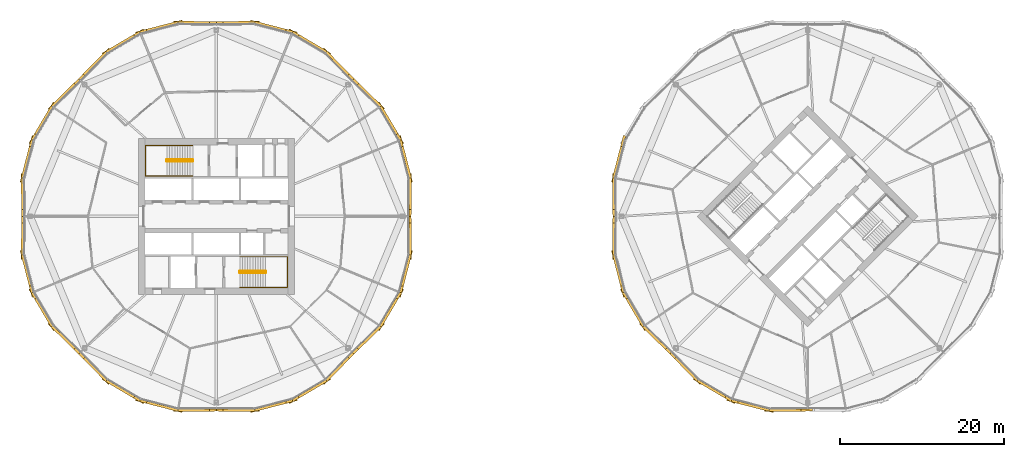
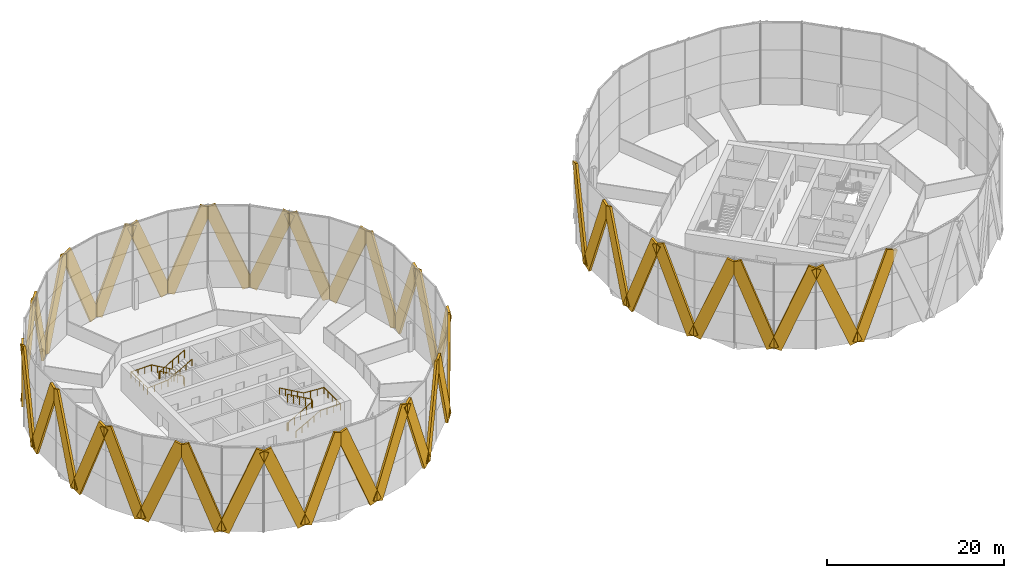
# One storey, part 25 of 26: 42 coverings, 4 railings.
"""IFC4 building model written with IfcOpenShell, lengths in metres."""

from ifc_helpers import new_model, si_unit, direction, frame, origin, origin_2d, place, context, subcontext, project, spatial, rectangle, circle, extrude, material, material_profile, profile_set, type_object, element, save


model = new_model("IFC4")

# Units and contexts
model_context = context("Model", 3, precision=1e-05, world=origin(), true_north=direction((0.0, 1.0)))
body_context = subcontext(model_context, "Body", "Model", "MODEL_VIEW")
ifc_project = project(units=[si_unit("LENGTHUNIT", "METRE"), si_unit("AREAUNIT", "SQUARE_METRE"), si_unit("VOLUMEUNIT", "CUBIC_METRE"), si_unit("PLANEANGLEUNIT", "RADIAN"), si_unit("MASSUNIT", "GRAM", prefix="KILO")], contexts=[model_context])

# Site, building, storey
site_placement = place(None, origin())
site = spatial("IfcSite", under=ifc_project, at=site_placement, CompositionType="ELEMENT")
building_placement = place(site_placement, origin())
building = spatial("IfcBuilding", under=site, at=building_placement, Name="Ogive Gate Towers", CompositionType="ELEMENT")
storey_placement = place(building_placement, frame((0.0, 0.0, 87.89990234375)))
storey = spatial("IfcBuildingStorey", under=building, at=storey_placement, Name="L20", CompositionType="ELEMENT", Elevation=87.89990234375)

# Coverings
ifc_material_1 = material(Name="Pale metal aluminium", Category="aluminium")
ifc_material_profile = material_profile(ifc_material_1, rectangle(XDim=0.300048828125, YDim=1.5, at=origin_2d()), Name="1500 x 300 pale metal aluminium")
ifc_profile_set = profile_set([ifc_material_profile], Name="Pale metal aluminium")
covering_type = type_object("IfcCoveringType", Name="Facade fin 1500 x 300", PredefinedType="CLADDING", material=ifc_profile_set)
covering_1_placement = place(storey_placement, frame((-12.377685546875, 4.53759765625, -0.072998046875), z_axis=(-0.003440047404, -0.369306390886, 0.929301326656), x_axis=(0.99995661926, -0.009314483198, 0.0)))
element("IfcCovering", 1, at=covering_1_placement, inside=storey, type_object=covering_type, Name="Facade fin", PredefinedType="CLADDING", context=body_context, shape_type="SweptSolid", body=[
    extrude(rectangle(XDim=0.300048828125, YDim=1.5, at=origin_2d()), origin(), (0.0, 0.0, 1.0), 11.993896484375),
])
for number, where, z_axis, x_axis, name in (
    (2, (-12.411376953125, 4.81103515625, -0.06982421875), (-0.093130794582, 0.36170772696, 0.927628252781), (-0.968415241774, -0.249342975639, 0.0), "Facade fin"),
    (3, (-15.918212890625, 13.27783203125, -0.06982421875), (0.189901177669, -0.321618309681, 0.927630964122), (0.861097691065, 0.508439540597, 0.0), "Facade fin"),
):
    element("IfcCovering", number, at=place(storey_placement, frame(where, z_axis=z_axis, x_axis=x_axis)), inside=storey, type_object=covering_type, Name=name, PredefinedType="CLADDING", context=body_context, shape_type="SweptSolid", body=[
        extrude(rectangle(XDim=0.300048828125, YDim=1.5, at=origin_2d()), origin(), (0.0, 0.0, 1.0), 12.009033203125),
    ])
for number, where, z_axis, x_axis, name in (
    (4, (-16.087890625, 13.4951171875, -0.072998046875), (-0.26358100466, 0.25869572849, 0.929301659335), (-0.700461997933, -0.713689701097, 0.0), "Facade fin"),
    (5, (-22.5048828125, 19.912109375, -0.072998046875), (0.25869572849, -0.26358100466, 0.929301659335), (0.713689701097, 0.700461997933, 0.0), "Facade fin"),
):
    element("IfcCovering", number, at=place(storey_placement, frame(where, z_axis=z_axis, x_axis=x_axis)), inside=storey, type_object=covering_type, Name=name, PredefinedType="CLADDING", context=body_context, shape_type="SweptSolid", body=[
        extrude(rectangle(XDim=0.300048828125, YDim=1.5, at=origin_2d()), origin(), (0.0, 0.0, 1.0), 11.993896484375),
    ])
for number, where, z_axis, x_axis, name in (
    (6, (-22.72216796875, 20.081787109375, -0.06982421875), (-0.321618309681, 0.189901177669, 0.927630964122), (-0.508439540597, -0.861097691065, 0.0), "Facade fin"),
    (7, (-31.18896484375, 23.588623046875, -0.06982421875), (0.36170772696, -0.093130794582, 0.927628252781), (0.249342975639, 0.968415241774, 0.0), "Facade fin"),
):
    element("IfcCovering", number, at=place(storey_placement, frame(where, z_axis=z_axis, x_axis=x_axis)), inside=storey, type_object=covering_type, Name=name, PredefinedType="CLADDING", context=body_context, shape_type="SweptSolid", body=[
        extrude(rectangle(XDim=0.300048828125, YDim=1.5, at=origin_2d()), origin(), (0.0, 0.0, 1.0), 12.009033203125),
    ])
for number, where, z_axis, x_axis, name in (
    (8, (-31.46240234375, 23.622314453125, -0.072998046875), (-0.369306390886, -0.003440047404, 0.929301326656), (0.009314483198, -0.99995661926, 0.0), "Facade fin"),
    (9, (-40.53759765625, 23.622314453125, -0.072998046875), (0.369306390886, -0.003440047404, 0.929301326656), (0.009314483198, 0.99995661926, 0.0), "Facade fin"),
):
    element("IfcCovering", number, at=place(storey_placement, frame(where, z_axis=z_axis, x_axis=x_axis)), inside=storey, type_object=covering_type, Name=name, PredefinedType="CLADDING", context=body_context, shape_type="SweptSolid", body=[
        extrude(rectangle(XDim=0.300048828125, YDim=1.5, at=origin_2d()), origin(), (0.0, 0.0, 1.0), 11.993896484375),
    ])
for number, where, z_axis, x_axis, name in (
    (10, (-40.81103515625, 23.588623046875, -0.06982421875), (-0.36170772696, -0.093130794582, 0.927628252781), (0.249342975639, -0.968415241774, 0.0), "Facade fin"),
    (11, (-49.27783203125, 20.081787109375, -0.06982421875), (0.321618309681, 0.189901177669, 0.927630964122), (-0.508439540597, 0.861097691065, 0.0), "Facade fin"),
):
    element("IfcCovering", number, at=place(storey_placement, frame(where, z_axis=z_axis, x_axis=x_axis)), inside=storey, type_object=covering_type, Name=name, PredefinedType="CLADDING", context=body_context, shape_type="SweptSolid", body=[
        extrude(rectangle(XDim=0.300048828125, YDim=1.5, at=origin_2d()), origin(), (0.0, 0.0, 1.0), 12.009033203125),
    ])
for number, where, z_axis, x_axis, name in (
    (12, (-49.4951171875, 19.912109375, -0.072998046875), (-0.25869572849, -0.26358100466, 0.929301659335), (0.713689701097, -0.700461997933, 0.0), "Facade fin"),
    (13, (-55.912109375, 13.4951171875, -0.072998046875), (0.26358100466, 0.25869572849, 0.929301659335), (-0.700461997933, 0.713689701097, 0.0), "Facade fin"),
):
    element("IfcCovering", number, at=place(storey_placement, frame(where, z_axis=z_axis, x_axis=x_axis)), inside=storey, type_object=covering_type, Name=name, PredefinedType="CLADDING", context=body_context, shape_type="SweptSolid", body=[
        extrude(rectangle(XDim=0.300048828125, YDim=1.5, at=origin_2d()), origin(), (0.0, 0.0, 1.0), 11.993896484375),
    ])
for number, where, z_axis, x_axis, name in (
    (14, (-56.081787109375, 13.27783203125, -0.06982421875), (-0.189901177669, -0.321618309681, 0.927630964122), (0.861097691065, -0.508439540597, 0.0), "Facade fin"),
    (15, (-59.588623046875, 4.81103515625, -0.06982421875), (0.093130794582, 0.36170772696, 0.927628252781), (-0.968415241774, 0.249342975639, 0.0), "Facade fin"),
):
    element("IfcCovering", number, at=place(storey_placement, frame(where, z_axis=z_axis, x_axis=x_axis)), inside=storey, type_object=covering_type, Name=name, PredefinedType="CLADDING", context=body_context, shape_type="SweptSolid", body=[
        extrude(rectangle(XDim=0.300048828125, YDim=1.5, at=origin_2d()), origin(), (0.0, 0.0, 1.0), 12.009033203125),
    ])
for number, where, z_axis, x_axis, name in (
    (16, (-59.622314453125, 4.53759765625, -0.072998046875), (0.003440047404, -0.369306390886, 0.929301326656), (0.99995661926, 0.009314483198, 0.0), "Facade fin"),
    (17, (-59.622314453125, -4.53759765625, -0.072998046875), (0.003440047404, 0.369306390886, 0.929301326656), (-0.99995661926, 0.009314483198, 0.0), "Facade fin"),
):
    element("IfcCovering", number, at=place(storey_placement, frame(where, z_axis=z_axis, x_axis=x_axis)), inside=storey, type_object=covering_type, Name=name, PredefinedType="CLADDING", context=body_context, shape_type="SweptSolid", body=[
        extrude(rectangle(XDim=0.300048828125, YDim=1.5, at=origin_2d()), origin(), (0.0, 0.0, 1.0), 11.993896484375),
    ])
for number, where, z_axis, x_axis, name in (
    (18, (-59.588623046875, -4.81103515625, -0.06982421875), (0.093130794582, -0.36170772696, 0.927628252781), (0.968415241774, 0.249342975639, 0.0), "Facade fin"),
    (19, (-56.081787109375, -13.27783203125, -0.06982421875), (-0.189901177669, 0.321618309681, 0.927630964122), (-0.861097691065, -0.508439540597, 0.0), "Facade fin"),
):
    element("IfcCovering", number, at=place(storey_placement, frame(where, z_axis=z_axis, x_axis=x_axis)), inside=storey, type_object=covering_type, Name=name, PredefinedType="CLADDING", context=body_context, shape_type="SweptSolid", body=[
        extrude(rectangle(XDim=0.300048828125, YDim=1.5, at=origin_2d()), origin(), (0.0, 0.0, 1.0), 12.009033203125),
    ])
for number, where, z_axis, x_axis, name in (
    (20, (-55.912109375, -13.4951171875, -0.072998046875), (0.26358100466, -0.25869572849, 0.929301659335), (0.700461997933, 0.713689701097, 0.0), "Facade fin"),
    (21, (-49.4951171875, -19.912109375, -0.072998046875), (-0.25869572849, 0.26358100466, 0.929301659335), (-0.713689701097, -0.700461997933, 0.0), "Facade fin"),
):
    element("IfcCovering", number, at=place(storey_placement, frame(where, z_axis=z_axis, x_axis=x_axis)), inside=storey, type_object=covering_type, Name=name, PredefinedType="CLADDING", context=body_context, shape_type="SweptSolid", body=[
        extrude(rectangle(XDim=0.300048828125, YDim=1.5, at=origin_2d()), origin(), (0.0, 0.0, 1.0), 11.993896484375),
    ])
for number, where, z_axis, x_axis, name in (
    (22, (-49.27783203125, -20.081787109375, -0.06982421875), (0.321618309681, -0.189901177669, 0.927630964122), (0.508439540597, 0.861097691065, 0.0), "Facade fin"),
    (23, (-40.81103515625, -23.588623046875, -0.06982421875), (-0.36170772696, 0.093130794582, 0.927628252781), (-0.249342975639, -0.968415241774, 0.0), "Facade fin"),
):
    element("IfcCovering", number, at=place(storey_placement, frame(where, z_axis=z_axis, x_axis=x_axis)), inside=storey, type_object=covering_type, Name=name, PredefinedType="CLADDING", context=body_context, shape_type="SweptSolid", body=[
        extrude(rectangle(XDim=0.300048828125, YDim=1.5, at=origin_2d()), origin(), (0.0, 0.0, 1.0), 12.009033203125),
    ])
for number, where, z_axis, x_axis, name in (
    (24, (-40.53759765625, -23.622314453125, -0.072998046875), (0.369306390886, 0.003440047404, 0.929301326656), (-0.009314483198, 0.99995661926, 0.0), "Facade fin"),
    (25, (-31.46240234375, -23.622314453125, -0.072998046875), (-0.369306390886, 0.003440047404, 0.929301326656), (-0.009314483198, -0.99995661926, 0.0), "Facade fin"),
):
    element("IfcCovering", number, at=place(storey_placement, frame(where, z_axis=z_axis, x_axis=x_axis)), inside=storey, type_object=covering_type, Name=name, PredefinedType="CLADDING", context=body_context, shape_type="SweptSolid", body=[
        extrude(rectangle(XDim=0.300048828125, YDim=1.5, at=origin_2d()), origin(), (0.0, 0.0, 1.0), 11.993896484375),
    ])
for number, where, z_axis, x_axis, name in (
    (26, (-31.18896484375, -23.588623046875, -0.06982421875), (0.36170772696, 0.093130794582, 0.927628252781), (-0.249342975639, 0.968415241774, 0.0), "Facade fin"),
    (27, (-22.72216796875, -20.081787109375, -0.06982421875), (-0.321618309681, -0.189901177669, 0.927630964122), (0.508439540597, -0.861097691065, 0.0), "Facade fin"),
):
    element("IfcCovering", number, at=place(storey_placement, frame(where, z_axis=z_axis, x_axis=x_axis)), inside=storey, type_object=covering_type, Name=name, PredefinedType="CLADDING", context=body_context, shape_type="SweptSolid", body=[
        extrude(rectangle(XDim=0.300048828125, YDim=1.5, at=origin_2d()), origin(), (0.0, 0.0, 1.0), 12.009033203125),
    ])
for number, where, z_axis, x_axis, name in (
    (28, (-22.5048828125, -19.912109375, -0.072998046875), (0.25869572849, 0.26358100466, 0.929301659335), (-0.713689701097, 0.700461997933, 0.0), "Facade fin"),
    (29, (-16.087890625, -13.4951171875, -0.072998046875), (-0.26358100466, -0.25869572849, 0.929301659335), (0.700461997933, -0.713689701097, 0.0), "Facade fin"),
):
    element("IfcCovering", number, at=place(storey_placement, frame(where, z_axis=z_axis, x_axis=x_axis)), inside=storey, type_object=covering_type, Name=name, PredefinedType="CLADDING", context=body_context, shape_type="SweptSolid", body=[
        extrude(rectangle(XDim=0.300048828125, YDim=1.5, at=origin_2d()), origin(), (0.0, 0.0, 1.0), 11.993896484375),
    ])
for number, where, z_axis, x_axis, name in (
    (30, (-15.918212890625, -13.27783203125, -0.06982421875), (0.189901177669, 0.321618309681, 0.927630964122), (-0.861097691065, 0.508439540597, 0.0), "Facade fin"),
    (31, (-12.411376953125, -4.81103515625, -0.06982421875), (-0.093130794582, -0.36170772696, 0.927628252781), (0.968415241774, -0.249342975639, 0.0), "Facade fin"),
):
    element("IfcCovering", number, at=place(storey_placement, frame(where, z_axis=z_axis, x_axis=x_axis)), inside=storey, type_object=covering_type, Name=name, PredefinedType="CLADDING", context=body_context, shape_type="SweptSolid", body=[
        extrude(rectangle(XDim=0.300048828125, YDim=1.5, at=origin_2d()), origin(), (0.0, 0.0, 1.0), 12.009033203125),
    ])
covering_2_placement = place(storey_placement, frame((-12.377685546875, -4.53759765625, -0.072998046875), z_axis=(-0.003440047404, 0.369306390886, 0.929301326656), x_axis=(-0.99995661926, -0.009314483198, 0.0)))
element("IfcCovering", 32, at=covering_2_placement, inside=storey, type_object=covering_type, Name="Facade fin", PredefinedType="CLADDING", context=body_context, shape_type="SweptSolid", body=[
    extrude(rectangle(XDim=0.300048828125, YDim=1.5, at=origin_2d()), origin(), (0.0, 0.0, 1.0), 11.993896484375),
])
covering_3_placement = place(storey_placement, frame((12.411376953125, 4.81103515625, -0.06982421875), z_axis=(0.093130794582, 0.36170772696, 0.927628252781), x_axis=(-0.968415241774, 0.249342975639, 0.0)))
element("IfcCovering", 33, at=covering_3_placement, inside=storey, type_object=covering_type, Name="Facade fin", PredefinedType="CLADDING", context=body_context, shape_type="SweptSolid", body=[
    extrude(rectangle(XDim=0.300048828125, YDim=1.5, at=origin_2d()), origin(), (0.0, 0.0, 1.0), 12.009033203125),
])
for number, where, z_axis, x_axis, name in (
    (34, (12.377685546875, 4.53759765625, -0.072998046875), (0.003440047404, -0.369306390886, 0.929301326656), (0.99995661926, 0.009314483198, 0.0), "Facade fin"),
    (35, (12.377685546875, -4.53759765625, -0.072998046875), (0.003440047404, 0.369306390886, 0.929301326656), (-0.99995661926, 0.009314483198, 0.0), "Facade fin"),
):
    element("IfcCovering", number, at=place(storey_placement, frame(where, z_axis=z_axis, x_axis=x_axis)), inside=storey, type_object=covering_type, Name=name, PredefinedType="CLADDING", context=body_context, shape_type="SweptSolid", body=[
        extrude(rectangle(XDim=0.300048828125, YDim=1.5, at=origin_2d()), origin(), (0.0, 0.0, 1.0), 11.993896484375),
    ])
for number, where, z_axis, x_axis, name in (
    (36, (12.411376953125, -4.81103515625, -0.06982421875), (0.093130794582, -0.36170772696, 0.927628252781), (0.968415241774, 0.249342975639, 0.0), "Facade fin"),
    (37, (15.918212890625, -13.27783203125, -0.06982421875), (-0.189901177669, 0.321618309681, 0.927630964122), (-0.861097691065, -0.508439540597, 0.0), "Facade fin"),
):
    element("IfcCovering", number, at=place(storey_placement, frame(where, z_axis=z_axis, x_axis=x_axis)), inside=storey, type_object=covering_type, Name=name, PredefinedType="CLADDING", context=body_context, shape_type="SweptSolid", body=[
        extrude(rectangle(XDim=0.300048828125, YDim=1.5, at=origin_2d()), origin(), (0.0, 0.0, 1.0), 12.009033203125),
    ])
for number, where, z_axis, x_axis, name in (
    (38, (16.087890625, -13.4951171875, -0.072998046875), (0.26358100466, -0.25869572849, 0.929301659335), (0.700461997933, 0.713689701097, 0.0), "Facade fin"),
    (39, (22.5048828125, -19.912109375, -0.072998046875), (-0.25869572849, 0.26358100466, 0.929301659335), (-0.713689701097, -0.700461997933, 0.0), "Facade fin"),
):
    element("IfcCovering", number, at=place(storey_placement, frame(where, z_axis=z_axis, x_axis=x_axis)), inside=storey, type_object=covering_type, Name=name, PredefinedType="CLADDING", context=body_context, shape_type="SweptSolid", body=[
        extrude(rectangle(XDim=0.300048828125, YDim=1.5, at=origin_2d()), origin(), (0.0, 0.0, 1.0), 11.993896484375),
    ])
for number, where, z_axis, x_axis, name in (
    (40, (22.72216796875, -20.081787109375, -0.06982421875), (0.321618309681, -0.189901177669, 0.927630964122), (0.508439540597, 0.861097691065, 0.0), "Facade fin"),
    (41, (31.18896484375, -23.588623046875, -0.06982421875), (-0.36170772696, 0.093130794582, 0.927628252781), (-0.249342975639, -0.968415241774, 0.0), "Facade fin"),
):
    element("IfcCovering", number, at=place(storey_placement, frame(where, z_axis=z_axis, x_axis=x_axis)), inside=storey, type_object=covering_type, Name=name, PredefinedType="CLADDING", context=body_context, shape_type="SweptSolid", body=[
        extrude(rectangle(XDim=0.300048828125, YDim=1.5, at=origin_2d()), origin(), (0.0, 0.0, 1.0), 12.009033203125),
    ])
covering_4_placement = place(storey_placement, frame((31.46240234375, -23.622314453125, -0.072998046875), z_axis=(0.369306390886, 0.003440047404, 0.929301326656), x_axis=(-0.009314483198, 0.99995661926, 0.0)))
element("IfcCovering", 42, at=covering_4_placement, inside=storey, type_object=covering_type, Name="Facade fin", PredefinedType="CLADDING", context=body_context, shape_type="SweptSolid", body=[
    extrude(rectangle(XDim=0.300048828125, YDim=1.5, at=origin_2d()), origin(), (0.0, 0.0, 1.0), 11.993896484375),
])

# Railings
ifc_material_2 = material(Name="Stainless steel", Category="steel")
railing_type_1 = type_object("IfcRailingType", Name="Stair guard 1100", PredefinedType="GUARDRAIL", material=ifc_material_2)
railing_1_placement = place(storey_placement, frame((-38.81494140625, 6.860107421875, 0.0)))
element("IfcRailing", 43, at=railing_1_placement, inside=storey, type_object=railing_type_1, Name="L20 ST1 stair guard 1", PredefinedType="GUARDRAIL", context=body_context, shape_type="SweptSolid", body=[
    extrude(circle(Radius=0.02392578125, at=origin_2d()), frame((0.0, 0.0, 1.076171875), z_axis=(0.0, -1.0, 0.0), x_axis=(1.0, 0.0, 0.0)), (0.0, 0.0, 1.0), 0.14501953125),
    extrude(circle(Radius=0.02392578125, at=origin_2d()), frame((0.0, -0.14501953125, 1.076171875), z_axis=(-0.186567429962, 0.726247849316, 0.661631812598), x_axis=(-0.968551454522, -0.24881334358, 0.0)), (0.0, 0.0, 1.0), 0.268310546875),
    extrude(circle(Radius=0.02392578125, at=origin_2d()), frame((-0.050048828125, 0.0498046875, 1.25341796875), z_axis=(-0.870572935281, 0.0, 0.492039393094), x_axis=(0.0, -1.0, 0.0)), (0.0, 0.0, 1.0), 3.602783203125),
    extrude(circle(Radius=0.02392578125, at=origin_2d()), frame((-3.1865234375, 0.0498046875, 3.0263671875), z_axis=(-0.707106781187, -0.707106781187, 0.0), x_axis=(0.707106781187, -0.707106781187, 0.0)), (0.0, 0.0, 1.0), 0.0703125),
    extrude(circle(Radius=0.02392578125, at=origin_2d()), frame((-3.236328125, 0.0, 3.0263671875), z_axis=(0.0, -1.0, 0.0), x_axis=(1.0, 0.0, 0.0)), (0.0, 0.0, 1.0), 0.14501953125),
    extrude(circle(Radius=0.02392578125, at=origin_2d()), frame((-3.236328125, -0.14501953125, 3.0263671875), z_axis=(0.261041864531, -0.262321481514, 0.929001929653), x_axis=(0.708833529934, 0.705375805398, 0.0)), (0.0, 0.0, 1.0), 0.190673828125),
    extrude(circle(Radius=0.02392578125, at=origin_2d()), frame((-3.1865234375, -0.195068359375, 3.20361328125), z_axis=(0.870572935281, 0.0, 0.492039393094), x_axis=(0.0, 1.0, 0.0)), (0.0, 0.0, 1.0), 3.602783203125),
    extrude(circle(Radius=0.02099609375, at=origin_2d()), origin(), (0.0, 0.0, 1.0), 1.052001953125),
    extrude(circle(Radius=0.02099609375, at=origin_2d()), frame((0.0, -0.14501953125, 0.0)), (0.0, 0.0, 1.0), 1.052001953125),
    extrude(circle(Radius=0.02099609375, at=origin_2d()), frame((-0.050048828125, 0.0498046875, 0.177490234375)), (0.0, 0.0, 1.0), 1.052001953125),
    extrude(circle(Radius=0.02099609375, at=origin_2d()), frame((-0.834228515625, 0.0498046875, 0.62060546875)), (0.0, 0.0, 1.0), 1.052001953125),
    extrude(circle(Radius=0.02099609375, at=origin_2d()), frame((-1.6181640625, 0.0498046875, 1.06396484375)), (0.0, 0.0, 1.0), 1.052001953125),
    extrude(circle(Radius=0.02099609375, at=origin_2d()), frame((-2.40234375, 0.0498046875, 1.507080078125)), (0.0, 0.0, 1.0), 1.052001953125),
    extrude(circle(Radius=0.02099609375, at=origin_2d()), frame((-3.1865234375, 0.0498046875, 1.9501953125)), (0.0, 0.0, 1.0), 1.052001953125),
    extrude(circle(Radius=0.02099609375, at=origin_2d()), frame((-3.236328125, 0.0, 1.9501953125)), (0.0, 0.0, 1.0), 1.052001953125),
    extrude(circle(Radius=0.02099609375, at=origin_2d()), frame((-3.236328125, -0.14501953125, 1.9501953125)), (0.0, 0.0, 1.0), 1.052001953125),
    extrude(circle(Radius=0.02099609375, at=origin_2d()), frame((-3.1865234375, -0.195068359375, 2.12744140625)), (0.0, 0.0, 1.0), 1.052001953125),
    extrude(circle(Radius=0.02099609375, at=origin_2d()), frame((-2.40234375, -0.195068359375, 2.570556640625)), (0.0, 0.0, 1.0), 1.052001953125),
    extrude(circle(Radius=0.02099609375, at=origin_2d()), frame((-1.6181640625, -0.195068359375, 3.013671875)), (0.0, 0.0, 1.0), 1.052001953125),
    extrude(circle(Radius=0.02099609375, at=origin_2d()), frame((-0.834228515625, -0.195068359375, 3.45703125)), (0.0, 0.0, 1.0), 1.052001953125),
    extrude(circle(Radius=0.02099609375, at=origin_2d()), frame((-0.050048828125, -0.195068359375, 3.900146484375)), (0.0, 0.0, 1.0), 1.052001953125),
])
railing_2_placement = place(storey_placement, frame((-33.18505859375, -6.860107421875, 0.0)))
element("IfcRailing", 44, at=railing_2_placement, inside=storey, type_object=railing_type_1, Name="L20 ST2 stair guard 1", PredefinedType="GUARDRAIL", context=body_context, shape_type="SweptSolid", body=[
    extrude(circle(Radius=0.02392578125, at=origin_2d()), frame((0.0, 0.0, 1.076171875), z_axis=(0.0, 1.0, 0.0), x_axis=(-1.0, 0.0, 0.0)), (0.0, 0.0, 1.0), 0.14501953125),
    extrude(circle(Radius=0.02392578125, at=origin_2d()), frame((0.0, 0.14501953125, 1.076171875), z_axis=(0.186567429962, -0.726247849316, 0.661631812598), x_axis=(0.968551454522, 0.24881334358, 0.0)), (0.0, 0.0, 1.0), 0.268310546875),
    extrude(circle(Radius=0.02392578125, at=origin_2d()), frame((0.050048828125, -0.0498046875, 1.25341796875), z_axis=(0.870572935281, 0.0, 0.492039393094), x_axis=(0.0, 1.0, 0.0)), (0.0, 0.0, 1.0), 3.602783203125),
    extrude(circle(Radius=0.02392578125, at=origin_2d()), frame((3.1865234375, -0.0498046875, 3.0263671875), z_axis=(0.707106781187, 0.707106781187, 0.0), x_axis=(-0.707106781187, 0.707106781187, 0.0)), (0.0, 0.0, 1.0), 0.0703125),
    extrude(circle(Radius=0.02392578125, at=origin_2d()), frame((3.236328125, 0.0, 3.0263671875), z_axis=(0.0, 1.0, 0.0), x_axis=(-1.0, 0.0, 0.0)), (0.0, 0.0, 1.0), 0.14501953125),
    extrude(circle(Radius=0.02392578125, at=origin_2d()), frame((3.236328125, 0.14501953125, 3.0263671875), z_axis=(-0.261041864531, 0.262321481514, 0.929001929653), x_axis=(-0.708833529934, -0.705375805398, 0.0)), (0.0, 0.0, 1.0), 0.190673828125),
    extrude(circle(Radius=0.02392578125, at=origin_2d()), frame((3.1865234375, 0.195068359375, 3.20361328125), z_axis=(-0.870572935281, 0.0, 0.492039393094), x_axis=(0.0, -1.0, 0.0)), (0.0, 0.0, 1.0), 3.602783203125),
    extrude(circle(Radius=0.02099609375, at=origin_2d()), origin(), (0.0, 0.0, 1.0), 1.052001953125),
    extrude(circle(Radius=0.02099609375, at=origin_2d()), frame((0.0, 0.14501953125, 0.0)), (0.0, 0.0, 1.0), 1.052001953125),
    extrude(circle(Radius=0.02099609375, at=origin_2d()), frame((0.050048828125, -0.0498046875, 0.177490234375)), (0.0, 0.0, 1.0), 1.052001953125),
    extrude(circle(Radius=0.02099609375, at=origin_2d()), frame((0.834228515625, -0.0498046875, 0.62060546875)), (0.0, 0.0, 1.0), 1.052001953125),
    extrude(circle(Radius=0.02099609375, at=origin_2d()), frame((1.6181640625, -0.0498046875, 1.06396484375)), (0.0, 0.0, 1.0), 1.052001953125),
    extrude(circle(Radius=0.02099609375, at=origin_2d()), frame((2.40234375, -0.0498046875, 1.507080078125)), (0.0, 0.0, 1.0), 1.052001953125),
    extrude(circle(Radius=0.02099609375, at=origin_2d()), frame((3.1865234375, -0.0498046875, 1.9501953125)), (0.0, 0.0, 1.0), 1.052001953125),
    extrude(circle(Radius=0.02099609375, at=origin_2d()), frame((3.236328125, 0.0, 1.9501953125)), (0.0, 0.0, 1.0), 1.052001953125),
    extrude(circle(Radius=0.02099609375, at=origin_2d()), frame((3.236328125, 0.14501953125, 1.9501953125)), (0.0, 0.0, 1.0), 1.052001953125),
    extrude(circle(Radius=0.02099609375, at=origin_2d()), frame((3.1865234375, 0.195068359375, 2.12744140625)), (0.0, 0.0, 1.0), 1.052001953125),
    extrude(circle(Radius=0.02099609375, at=origin_2d()), frame((2.40234375, 0.195068359375, 2.570556640625)), (0.0, 0.0, 1.0), 1.052001953125),
    extrude(circle(Radius=0.02099609375, at=origin_2d()), frame((1.6181640625, 0.195068359375, 3.013671875)), (0.0, 0.0, 1.0), 1.052001953125),
    extrude(circle(Radius=0.02099609375, at=origin_2d()), frame((0.834228515625, 0.195068359375, 3.45703125)), (0.0, 0.0, 1.0), 1.052001953125),
    extrude(circle(Radius=0.02099609375, at=origin_2d()), frame((0.050048828125, 0.195068359375, 3.900146484375)), (0.0, 0.0, 1.0), 1.052001953125),
])
railing_type_2 = type_object("IfcRailingType", Name="Stair handrail 900", PredefinedType="HANDRAIL", material=ifc_material_2)
railing_3_placement = place(storey_placement, frame((-38.864990234375, 8.64990234375, 0.177490234375)))
element("IfcRailing", 45, at=railing_3_placement, inside=storey, type_object=railing_type_2, Name="L20 ST1 stair handrail 1", PredefinedType="HANDRAIL", context=body_context, shape_type="SweptSolid", body=[
    extrude(circle(Radius=0.02392578125, at=origin_2d()), frame((0.0, 0.0, 0.8759765625), z_axis=(-0.870572935281, 0.0, 0.492039393094), x_axis=(0.0, -1.0, 0.0)), (0.0, 0.0, 1.0), 3.602783203125),
    extrude(circle(Radius=0.02392578125, at=origin_2d()), frame((-3.136474609375, 0.0, 2.6484375), z_axis=(-1.0, 0.0, 0.0), x_axis=(0.0, -1.0, 0.0)), (0.0, 0.0, 1.0), 2.6484375),
    extrude(circle(Radius=0.02392578125, at=origin_2d()), frame((-5.784912109375, 0.0, 2.6484375), z_axis=(0.0, -1.0, 0.0), x_axis=(1.0, 0.0, 0.0)), (0.0, 0.0, 1.0), 3.724853515625),
    extrude(circle(Radius=0.02392578125, at=origin_2d()), frame((-5.784912109375, -3.724853515625, 2.6484375), z_axis=(0.997768031817, 0.0, 0.066775404784), x_axis=(0.0, 1.0, 0.0)), (0.0, 0.0, 1.0), 2.654296875),
    extrude(circle(Radius=0.02392578125, at=origin_2d()), frame((-3.136474609375, -3.724853515625, 2.82568359375), z_axis=(0.870572935281, 0.0, 0.492039393094), x_axis=(0.0, 1.0, 0.0)), (0.0, 0.0, 1.0), 3.602783203125),
    extrude(circle(Radius=0.02099609375, at=origin_2d()), origin(), (0.0, 0.0, 1.0), 0.851806640625),
    extrude(circle(Radius=0.02099609375, at=origin_2d()), frame((-0.7841796875, 0.0, 0.443115234375)), (0.0, 0.0, 1.0), 0.851806640625),
    extrude(circle(Radius=0.02099609375, at=origin_2d()), frame((-1.568359375, 0.0, 0.88623046875)), (0.0, 0.0, 1.0), 0.851806640625),
    extrude(circle(Radius=0.02099609375, at=origin_2d()), frame((-2.352294921875, 0.0, 1.32958984375)), (0.0, 0.0, 1.0), 0.851806640625),
    extrude(circle(Radius=0.02099609375, at=origin_2d()), frame((-3.136474609375, 0.0, 1.772705078125)), (0.0, 0.0, 1.0), 0.851806640625),
    extrude(circle(Radius=0.02099609375, at=origin_2d()), frame((-4.019287109375, 0.0, 1.772705078125)), (0.0, 0.0, 1.0), 0.851806640625),
    extrude(circle(Radius=0.02099609375, at=origin_2d()), frame((-4.902099609375, 0.0, 1.772705078125)), (0.0, 0.0, 1.0), 0.851806640625),
    extrude(circle(Radius=0.02099609375, at=origin_2d()), frame((-5.784912109375, 0.0, 1.772705078125)), (0.0, 0.0, 1.0), 0.851806640625),
    extrude(circle(Radius=0.02099609375, at=origin_2d()), frame((-5.784912109375, -0.93115234375, 1.772705078125)), (0.0, 0.0, 1.0), 0.851806640625),
    extrude(circle(Radius=0.02099609375, at=origin_2d()), frame((-5.784912109375, -1.8623046875, 1.772705078125)), (0.0, 0.0, 1.0), 0.851806640625),
    extrude(circle(Radius=0.02099609375, at=origin_2d()), frame((-5.784912109375, -2.793701171875, 1.772705078125)), (0.0, 0.0, 1.0), 0.851806640625),
    extrude(circle(Radius=0.02099609375, at=origin_2d()), frame((-5.784912109375, -3.724853515625, 1.772705078125)), (0.0, 0.0, 1.0), 0.851806640625),
    extrude(circle(Radius=0.02099609375, at=origin_2d()), frame((-4.902099609375, -3.724853515625, 1.831787109375)), (0.0, 0.0, 1.0), 0.851806640625),
    extrude(circle(Radius=0.02099609375, at=origin_2d()), frame((-4.019287109375, -3.724853515625, 1.890869140625)), (0.0, 0.0, 1.0), 0.851806640625),
    extrude(circle(Radius=0.02099609375, at=origin_2d()), frame((-3.136474609375, -3.724853515625, 1.949951171875)), (0.0, 0.0, 1.0), 0.851806640625),
    extrude(circle(Radius=0.02099609375, at=origin_2d()), frame((-2.352294921875, -3.724853515625, 2.39306640625)), (0.0, 0.0, 1.0), 0.851806640625),
    extrude(circle(Radius=0.02099609375, at=origin_2d()), frame((-1.568359375, -3.724853515625, 2.83642578125)), (0.0, 0.0, 1.0), 0.851806640625),
    extrude(circle(Radius=0.02099609375, at=origin_2d()), frame((-0.7841796875, -3.724853515625, 3.279541015625)), (0.0, 0.0, 1.0), 0.851806640625),
    extrude(circle(Radius=0.02099609375, at=origin_2d()), frame((0.0, -3.724853515625, 3.72265625)), (0.0, 0.0, 1.0), 0.851806640625),
])
railing_4_placement = place(storey_placement, frame((-33.135009765625, -8.64990234375, 0.177490234375)))
element("IfcRailing", 46, at=railing_4_placement, inside=storey, type_object=railing_type_2, Name="L20 ST2 stair handrail 1", PredefinedType="HANDRAIL", context=body_context, shape_type="SweptSolid", body=[
    extrude(circle(Radius=0.02392578125, at=origin_2d()), frame((0.0, 0.0, 0.8759765625), z_axis=(0.870572935281, 0.0, 0.492039393094), x_axis=(0.0, 1.0, 0.0)), (0.0, 0.0, 1.0), 3.602783203125),
    extrude(circle(Radius=0.02392578125, at=origin_2d()), frame((3.136474609375, 0.0, 2.6484375), z_axis=(1.0, 0.0, 0.0), x_axis=(0.0, 1.0, 0.0)), (0.0, 0.0, 1.0), 2.6484375),
    extrude(circle(Radius=0.02392578125, at=origin_2d()), frame((5.784912109375, 0.0, 2.6484375), z_axis=(0.0, 1.0, 0.0), x_axis=(-1.0, 0.0, 0.0)), (0.0, 0.0, 1.0), 3.724853515625),
    extrude(circle(Radius=0.02392578125, at=origin_2d()), frame((5.784912109375, 3.724853515625, 2.6484375), z_axis=(-0.997768031817, 0.0, 0.066775404784), x_axis=(0.0, -1.0, 0.0)), (0.0, 0.0, 1.0), 2.654296875),
    extrude(circle(Radius=0.02392578125, at=origin_2d()), frame((3.136474609375, 3.724853515625, 2.82568359375), z_axis=(-0.870572935281, 0.0, 0.492039393094), x_axis=(0.0, -1.0, 0.0)), (0.0, 0.0, 1.0), 3.602783203125),
    extrude(circle(Radius=0.02099609375, at=origin_2d()), origin(), (0.0, 0.0, 1.0), 0.851806640625),
    extrude(circle(Radius=0.02099609375, at=origin_2d()), frame((0.7841796875, 0.0, 0.443115234375)), (0.0, 0.0, 1.0), 0.851806640625),
    extrude(circle(Radius=0.02099609375, at=origin_2d()), frame((1.568359375, 0.0, 0.88623046875)), (0.0, 0.0, 1.0), 0.851806640625),
    extrude(circle(Radius=0.02099609375, at=origin_2d()), frame((2.352294921875, 0.0, 1.32958984375)), (0.0, 0.0, 1.0), 0.851806640625),
    extrude(circle(Radius=0.02099609375, at=origin_2d()), frame((3.136474609375, 0.0, 1.772705078125)), (0.0, 0.0, 1.0), 0.851806640625),
    extrude(circle(Radius=0.02099609375, at=origin_2d()), frame((4.019287109375, 0.0, 1.772705078125)), (0.0, 0.0, 1.0), 0.851806640625),
    extrude(circle(Radius=0.02099609375, at=origin_2d()), frame((4.902099609375, 0.0, 1.772705078125)), (0.0, 0.0, 1.0), 0.851806640625),
    extrude(circle(Radius=0.02099609375, at=origin_2d()), frame((5.784912109375, 0.0, 1.772705078125)), (0.0, 0.0, 1.0), 0.851806640625),
    extrude(circle(Radius=0.02099609375, at=origin_2d()), frame((5.784912109375, 0.93115234375, 1.772705078125)), (0.0, 0.0, 1.0), 0.851806640625),
    extrude(circle(Radius=0.02099609375, at=origin_2d()), frame((5.784912109375, 1.8623046875, 1.772705078125)), (0.0, 0.0, 1.0), 0.851806640625),
    extrude(circle(Radius=0.02099609375, at=origin_2d()), frame((5.784912109375, 2.793701171875, 1.772705078125)), (0.0, 0.0, 1.0), 0.851806640625),
    extrude(circle(Radius=0.02099609375, at=origin_2d()), frame((5.784912109375, 3.724853515625, 1.772705078125)), (0.0, 0.0, 1.0), 0.851806640625),
    extrude(circle(Radius=0.02099609375, at=origin_2d()), frame((4.902099609375, 3.724853515625, 1.831787109375)), (0.0, 0.0, 1.0), 0.851806640625),
    extrude(circle(Radius=0.02099609375, at=origin_2d()), frame((4.019287109375, 3.724853515625, 1.890869140625)), (0.0, 0.0, 1.0), 0.851806640625),
    extrude(circle(Radius=0.02099609375, at=origin_2d()), frame((3.136474609375, 3.724853515625, 1.949951171875)), (0.0, 0.0, 1.0), 0.851806640625),
    extrude(circle(Radius=0.02099609375, at=origin_2d()), frame((2.352294921875, 3.724853515625, 2.39306640625)), (0.0, 0.0, 1.0), 0.851806640625),
    extrude(circle(Radius=0.02099609375, at=origin_2d()), frame((1.568359375, 3.724853515625, 2.83642578125)), (0.0, 0.0, 1.0), 0.851806640625),
    extrude(circle(Radius=0.02099609375, at=origin_2d()), frame((0.7841796875, 3.724853515625, 3.279541015625)), (0.0, 0.0, 1.0), 0.851806640625),
    extrude(circle(Radius=0.02099609375, at=origin_2d()), frame((0.0, 3.724853515625, 3.72265625)), (0.0, 0.0, 1.0), 0.851806640625),
])

save(model, "model.ifc")
